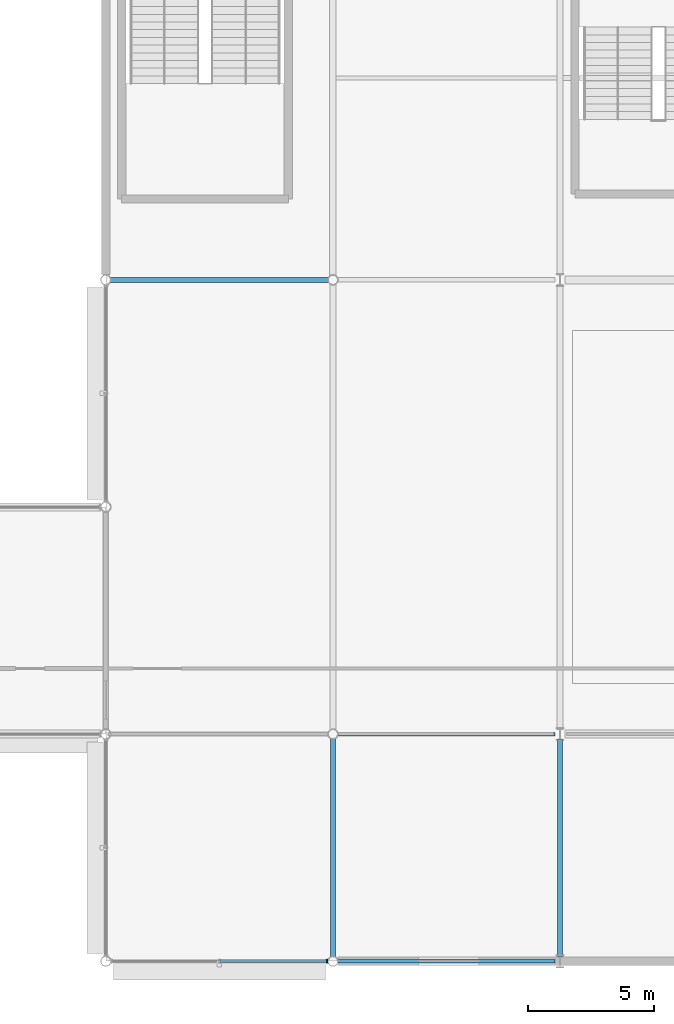
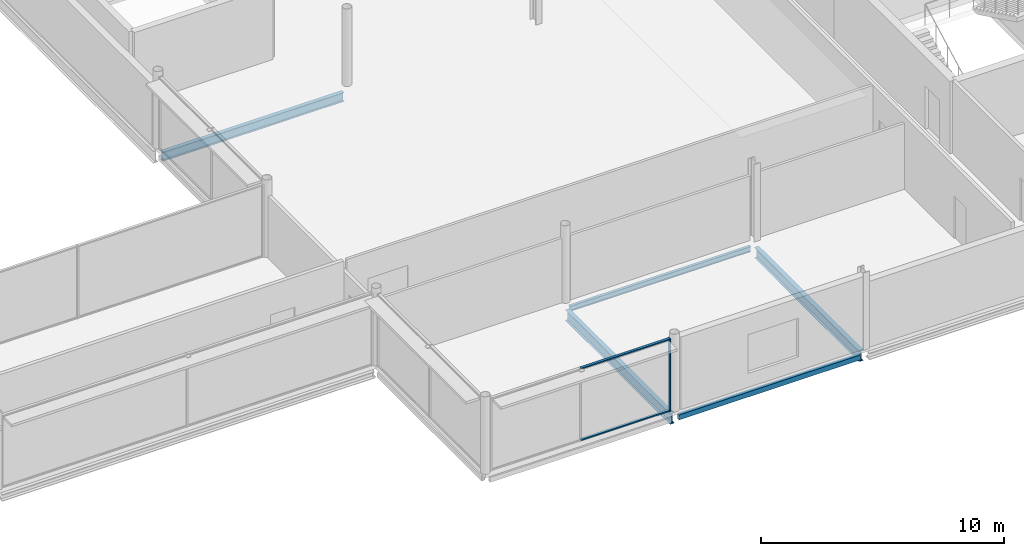
# One storey, part 42 of 96: 5 beams, 3 members, 1 element without a shape of its own.
"""IFC4 building model written with IfcOpenShell, lengths in metres."""

from ifc_helpers import new_model, si_unit, direction, frame, origin, origin_2d, place, context, subcontext, project, spatial, rectangle, hollow_rectangle, i_section, extrude, material, layer, layer_set, material_profile, profile_set, type_object, element, aggregate, save


model = new_model("IFC4")

# Units and contexts
model_context = context("Model", 3, precision=1e-05, world=origin(), true_north=direction((0.0, 1.0)))
body_context = subcontext(model_context, "Body", "Model", "MODEL_VIEW")
ifc_project = project(units=[si_unit("LENGTHUNIT", "METRE"), si_unit("AREAUNIT", "SQUARE_METRE"), si_unit("VOLUMEUNIT", "CUBIC_METRE"), si_unit("PLANEANGLEUNIT", "RADIAN"), si_unit("MASSUNIT", "GRAM", prefix="KILO")], contexts=[model_context])

# Site, building, storey
site_placement = place(None, origin())
site = spatial("IfcSite", under=ifc_project, at=site_placement, CompositionType="ELEMENT")
building_placement = place(site_placement, origin())
building = spatial("IfcBuilding", under=site, at=building_placement, Name="Kisiwana Market Hall", CompositionType="ELEMENT")
storey_placement = place(building_placement, frame((0.0, 0.0, 25.5)))
storey = spatial("IfcBuildingStorey", under=building, at=storey_placement, Name="L05", CompositionType="ELEMENT", Elevation=25.5)

# Beams
ifc_material_1 = material(Name="Steel S355", Category="steel")
ifc_material_profile_1 = material_profile(ifc_material_1, i_section(OverallWidth=0.209228515625, OverallDepth=0.533203125, WebThickness=0.010009765625, FlangeThickness=0.015625, at=origin_2d()), Name="UB 533x210x92")
ifc_profile_set_1 = profile_set([ifc_material_profile_1], Name="Steel S355")
beam_type_1 = type_object("IfcBeamType", Name="BM-GIRD-UB533", PredefinedType="BEAM", material=ifc_profile_set_1)
beam_1_placement = place(storey_placement, frame((162.0, 9.18017578125, -0.58154296875), z_axis=(0.0, 1.0, 0.0), x_axis=(-1.0, 0.0, 0.0)))
element("IfcBeam", 1, at=beam_1_placement, inside=storey, type_object=beam_type_1, Name="Primary girder B-1551", PredefinedType="BEAM", context=body_context, shape_type="SweptSolid", body=[
    extrude(i_section(OverallWidth=0.209228515625, OverallDepth=0.533203125, WebThickness=0.010009765625, FlangeThickness=0.015625, at=origin_2d()), origin(), (0.0, 0.0, 1.0), 8.6396484375),
])
beam_2_placement = place(storey_placement, frame((171.0, 9.1865234375, -0.58154296875), z_axis=(0.0, 1.0, 0.0), x_axis=(-1.0, 0.0, 0.0)))
element("IfcBeam", 2, at=beam_2_placement, inside=storey, type_object=beam_type_1, Name="Primary girder B-1557", PredefinedType="BEAM", context=body_context, shape_type="SweptSolid", body=[
    extrude(i_section(OverallWidth=0.209228515625, OverallDepth=0.533203125, WebThickness=0.010009765625, FlangeThickness=0.015625, at=origin_2d()), origin(), (0.0, 0.0, 1.0), 8.626953125),
])
ifc_material_2 = material(Name="Steel S355", Category="steel")
ifc_material_profile_2 = material_profile(ifc_material_2, i_section(OverallWidth=0.135009765625, OverallDepth=0.27001953125, WebThickness=0.006591796875, FlangeThickness=0.01025390625, FilletRadius=0.014892578125, at=origin_2d()), Name="IPE 270")
ifc_profile_set_2 = profile_set([ifc_material_profile_2], Name="Steel S355")
beam_type_2 = type_object("IfcBeamType", Name="BM-JOIST-IPE270", PredefinedType="JOIST", material=ifc_profile_set_2)
beam_3_placement = place(storey_placement, frame((162.182373046875, 18.0, -0.449951171875), z_axis=(1.0, 0.0, 0.0), x_axis=(0.0, 1.0, 0.0)))
element("IfcBeam", 3, at=beam_3_placement, inside=storey, type_object=beam_type_2, Name="Floor beam B-1614", PredefinedType="JOIST", context=body_context, shape_type="SweptSolid", body=[
    extrude(i_section(OverallWidth=0.135009765625, OverallDepth=0.27001953125, WebThickness=0.006591796875, FlangeThickness=0.01025390625, FilletRadius=0.014892578125, at=origin_2d()), origin(), (0.0, 0.0, 1.0), 8.624267578125),
])
ifc_material_3 = material(Name="Steel S355", Category="steel")
ifc_material_profile_3 = material_profile(ifc_material_3, i_section(OverallWidth=0.18994140625, OverallDepth=0.453369140625, WebThickness=0.008544921875, FlangeThickness=0.0126953125, at=origin_2d()), Name="UB 457x191x67")
ifc_profile_set_3 = profile_set([ifc_material_profile_3], Name="Steel S355")
beam_type_3 = type_object("IfcBeamType", Name="BM-JOIST-UB457", PredefinedType="JOIST", material=ifc_profile_set_3)
beam_4_placement = place(storey_placement, frame((153.182373046875, 36.0, -0.541748046875), z_axis=(1.0, 0.0, 0.0), x_axis=(0.0, 1.0, 0.0)))
element("IfcBeam", 4, at=beam_4_placement, inside=storey, type_object=beam_type_3, Name="Floor beam B-1627", PredefinedType="JOIST", context=body_context, shape_type="SweptSolid", body=[
    extrude(i_section(OverallWidth=0.18994140625, OverallDepth=0.453369140625, WebThickness=0.008544921875, FlangeThickness=0.0126953125, at=origin_2d()), origin(), (0.0, 0.0, 1.0), 8.63525390625),
])
ifc_material_4 = material(Name="Steel S355", Category="steel")
ifc_material_profile_4 = material_profile(ifc_material_4, hollow_rectangle(XDim=0.14990234375, YDim=0.25, WallThickness=0.010009765625, at=origin_2d()), Name="RHS 250x150x10.0")
ifc_profile_set_4 = profile_set([ifc_material_profile_4], Name="Steel S355")
beam_type_4 = type_object("IfcBeamType", Name="BM-SPAN-RHS250", PredefinedType="SPANDREL", material=ifc_profile_set_4)
beam_5_placement = place(storey_placement, frame((162.182373046875, 9.0, -0.43994140625), z_axis=(1.0, 0.0, 0.0), x_axis=(0.0, 1.0, 0.0)))
element("IfcBeam", 5, at=beam_5_placement, inside=storey, type_object=beam_type_4, Name="Floor beam B-1600", PredefinedType="SPANDREL", context=body_context, shape_type="SweptSolid", body=[
    extrude(hollow_rectangle(XDim=0.14990234375, YDim=0.25, WallThickness=0.010009765625, at=origin_2d()), origin(), (0.0, 0.0, 1.0), 8.624267578125),
])

# Curtain wall, members
ifc_material_5 = material(Name="Double-glazed solar-control low-E IGU", Category="glass")
ifc_layer = layer(ifc_material_5, 0.159912109375)
ifc_layer_set = layer_set([ifc_layer], Name="CW-ZNA-EW-8200")
curtain_wall_type = type_object("IfcCurtainWallType", Name="CW-ZNA-EW-8200", PredefinedType="USERDEFINED", material=ifc_layer_set)
curtain_wall_placement = place(storey_placement, origin())
curtain_wall = element("IfcCurtainWall", 6, at=curtain_wall_placement, inside=storey, type_object=curtain_wall_type, Name="Unitised curtain wall CW-131 (L05)", ObjectType="UNITISED CURTAIN WALL", PredefinedType="USERDEFINED")
ifc_material_6 = material(Name="Aluminium alloy 6063-T6", Category="aluminium")
ifc_material_profile_5 = material_profile(ifc_material_6, rectangle(XDim=0.06005859375, YDim=0.159912109375, at=origin_2d()), Name="ALU MULLION 60x160")
ifc_profile_set_5 = profile_set([ifc_material_profile_5], Name="Aluminium alloy 6063-T6")
member_type_1 = type_object("IfcMemberType", Name="CW-MULL-60x160", PredefinedType="MULLION", material=ifc_profile_set_5)
member_1_placement = place(storey_placement, frame((161.766845703125, 9.0, 0.0), z_axis=(0.0, 0.0, 1.0), x_axis=(1.0, 0.0, 0.0)))
member_1 = element("IfcMember", 7, at=member_1_placement, type_object=member_type_1, Name="CW-131 mullion 3", PredefinedType="MULLION", context=body_context, shape_type="SweptSolid", body=[
    extrude(rectangle(XDim=0.06005859375, YDim=0.159912109375, at=origin_2d()), origin(), (0.0, 0.0, 1.0), 3.655029296875),
])
ifc_material_7 = material(Name="Aluminium alloy 6063-T6", Category="aluminium")
ifc_material_profile_6 = material_profile(ifc_material_7, rectangle(XDim=0.1201171875, YDim=0.06005859375, at=origin_2d()), Name="ALU TRANSOM 60x120")
ifc_profile_set_6 = profile_set([ifc_material_profile_6], Name="Aluminium alloy 6063-T6")
member_type_2 = type_object("IfcMemberType", Name="CW-TRAN-60x120", PredefinedType="USERDEFINED", material=ifc_profile_set_6)
member_2_placement = place(storey_placement, frame((157.530029296875, 9.0, 0.030029296875), z_axis=(1.0, 0.0, 0.0), x_axis=(0.0, 1.0, 0.0)))
member_2 = element("IfcMember", 8, at=member_2_placement, type_object=member_type_2, Name="CW-131 transom 2.1", ObjectType="TRANSOM", PredefinedType="USERDEFINED", context=body_context, shape_type="SweptSolid", body=[
    extrude(rectangle(XDim=0.1201171875, YDim=0.06005859375, at=origin_2d()), origin(), (0.0, 0.0, 1.0), 4.206787109375),
])
member_3_placement = place(storey_placement, frame((157.530029296875, 9.0, 3.625), z_axis=(1.0, 0.0, 0.0), x_axis=(0.0, 1.0, 0.0)))
member_3 = element("IfcMember", 9, at=member_3_placement, type_object=member_type_2, Name="CW-131 transom 2.2", ObjectType="TRANSOM", PredefinedType="USERDEFINED", context=body_context, shape_type="SweptSolid", body=[
    extrude(rectangle(XDim=0.1201171875, YDim=0.06005859375, at=origin_2d()), origin(), (0.0, 0.0, 1.0), 4.206787109375),
])
aggregate(curtain_wall, [member_1, member_2, member_3])

save(model, "model.ifc")
